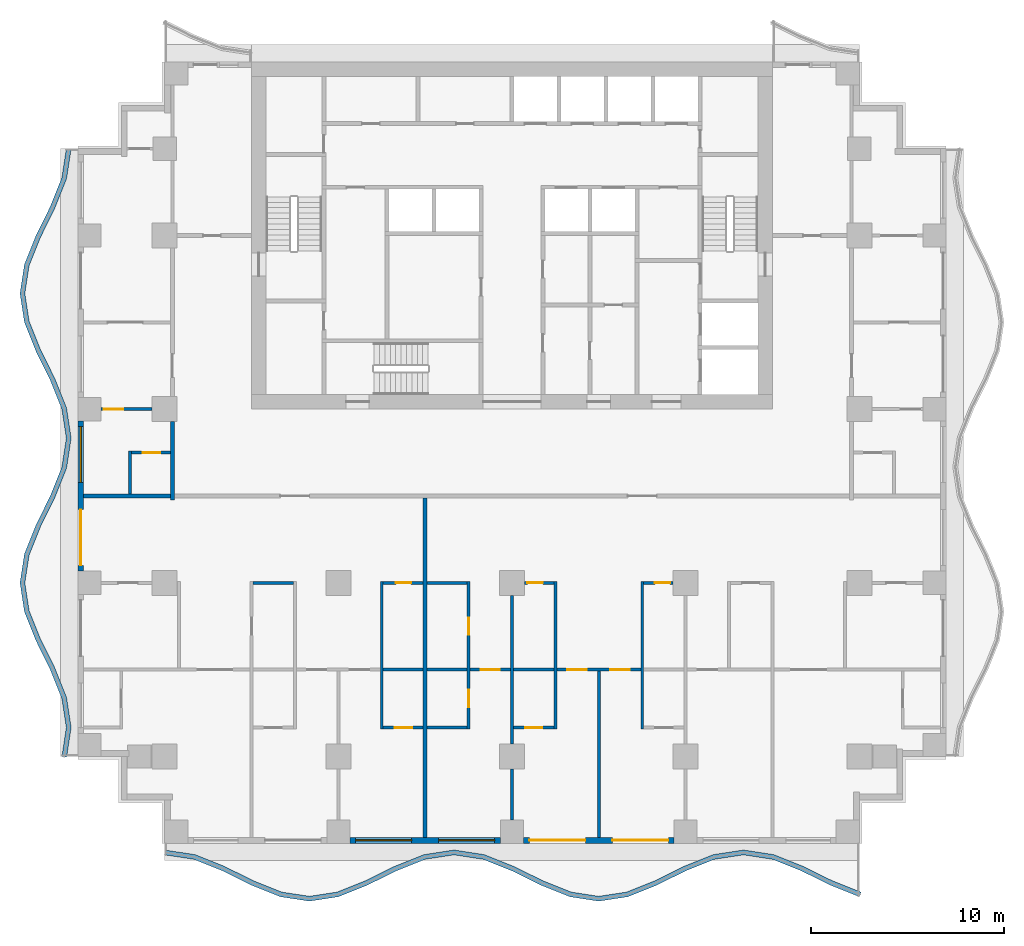
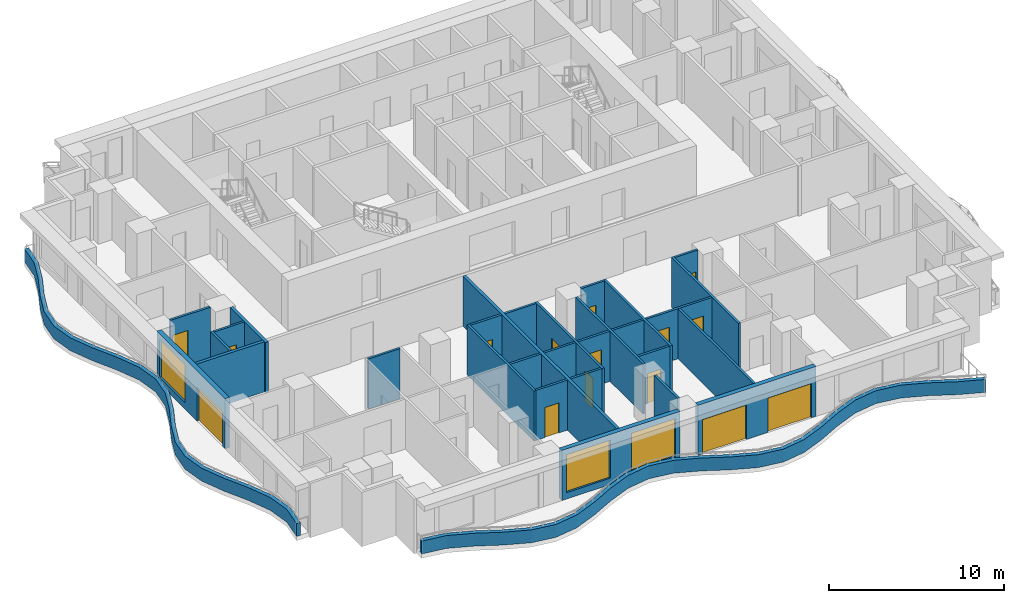
# One storey, part 2 of 10: 31 walls, 15 doors, 3 windows, 18 openings.
"""IFC4 building model written with IfcOpenShell, lengths in metres."""

from ifc_helpers import new_model, si_unit, direction, frame, frame_2d, origin, place, context, subcontext, project, spatial, polyline, rectangle, outline, extrude, material, layer, layer_set, type_object, element, fill, save


model = new_model("IFC4")

# Units and contexts
model_context = context("Model", 3, precision=1e-05, world=origin(), true_north=direction((0.0, 1.0)))
body_context = subcontext(model_context, "Body", "Model", "MODEL_VIEW")
ifc_project = project(units=[si_unit("LENGTHUNIT", "METRE"), si_unit("AREAUNIT", "SQUARE_METRE"), si_unit("VOLUMEUNIT", "CUBIC_METRE"), si_unit("PLANEANGLEUNIT", "RADIAN"), si_unit("MASSUNIT", "GRAM", prefix="KILO")], contexts=[model_context])

# Site, building, storey
site_placement = place(None, origin())
site = spatial("IfcSite", under=ifc_project, at=site_placement, CompositionType="ELEMENT")
building_placement = place(site_placement, origin())
building = spatial("IfcBuilding", under=site, at=building_placement, Name="Orbiselva Terraces", CompositionType="ELEMENT")
storey_placement = place(building_placement, frame((0.0, 0.0, 136.4)))
storey = spatial("IfcBuildingStorey", under=building, at=storey_placement, Name="L34", CompositionType="ELEMENT", Elevation=136.4)

# Walls
ifc_material_1 = material(Name="Concrete C40/50", Category="concrete")
ifc_layer_1 = layer(ifc_material_1, 0.25)
ifc_layer_set_1 = layer_set([ifc_layer_1], Name="Concrete C40/50")
wall_type_1 = type_object("IfcWallType", Name="ENV-PLANTER-250x900", PredefinedType="USERDEFINED", material=ifc_layer_set_1)
wall_1_placement = place(storey_placement, origin())
element("IfcWall", 1, at=wall_1_placement, inside=storey, type_object=wall_type_1, Name="Balcony planter L34 S", ObjectType="PLANTER", PredefinedType="USERDEFINED", context=body_context, shape_type="SweptSolid", body=[
    extrude(outline(polyline([(-18.0, -18.6), (-16.5, -18.82918), (-15.0, -19.42918), (-13.5, -20.17082), (-12.0, -20.77082), (-10.5, -21.0), (-9.0, -20.77082), (-7.5, -20.17082), (-6.0, -19.42918), (-4.5, -18.82918), (-3.0, -18.6), (-1.5, -18.82918), (0.0, -19.42918), (1.5, -20.17082), (3.0, -20.77082), (4.5, -21.0), (6.0, -20.77082), (7.5, -20.17082), (9.0, -19.42918), (10.5, -18.82918), (12.0, -18.6), (13.5, -18.82918), (15.0, -19.42918), (16.5, -20.17082), (18.0, -20.77082), (18.092848, -20.538701), (16.601983, -19.942355), (15.101983, -19.200715), (13.566166, -18.586388), (12.0, -18.347099), (10.433834, -18.586388), (8.898017, -19.200715), (7.398017, -19.942355), (5.933834, -20.528028), (4.5, -20.747099), (3.066166, -20.528028), (1.601983, -19.942355), (0.101983, -19.200715), (-1.433834, -18.586388), (-3.0, -18.347099), (-4.566166, -18.586388), (-6.101983, -19.200715), (-7.601983, -19.942355), (-9.066166, -20.528028), (-10.5, -20.747099), (-11.933834, -20.528028), (-13.398017, -19.942355), (-14.898017, -19.200715), (-16.433834, -18.586388), (-17.962242, -18.352868), (-18.0, -18.6)])), origin(), (0.0, 0.0, 1.0), 0.9),
])
wall_2_placement = place(storey_placement, origin())
element("IfcWall", 2, at=wall_2_placement, inside=storey, type_object=wall_type_1, Name="Balcony planter L34 W", ObjectType="PLANTER", PredefinedType="USERDEFINED", context=body_context, shape_type="SweptSolid", body=[
    extrude(outline(polyline([(-23.1, 18.0), (-23.32918, 16.5), (-23.92918, 15.0), (-24.67082, 13.5), (-25.27082, 12.0), (-25.5, 10.5), (-25.27082, 9.0), (-24.67082, 7.5), (-23.92918, 6.0), (-23.32918, 4.5), (-23.1, 3.0), (-23.32918, 1.5), (-23.92918, 0.0), (-24.67082, -1.5), (-25.27082, -3.0), (-25.5, -4.5), (-25.27082, -6.0), (-24.67082, -7.5), (-23.92918, -9.0), (-23.32918, -10.5), (-23.1, -12.0), (-23.32918, -13.5), (-23.082048, -13.537758), (-22.847099, -12.0), (-23.086388, -10.433834), (-23.700715, -8.898017), (-24.442355, -7.398017), (-25.028028, -5.933834), (-25.247099, -4.5), (-25.028028, -3.066166), (-24.442355, -1.601983), (-23.700715, -0.101983), (-23.086388, 1.433834), (-22.847099, 3.0), (-23.086388, 4.566166), (-23.700715, 6.101983), (-24.442355, 7.601983), (-25.028028, 9.066166), (-25.247099, 10.5), (-25.028028, 11.933834), (-24.442355, 13.398017), (-23.700715, 14.898017), (-23.086388, 16.433834), (-22.852868, 17.962242), (-23.1, 18.0)])), origin(), (0.0, 0.0, 1.0), 0.9),
])

# Wall, openings, windows
ifc_material_2 = material(Name="Terracotta cladding on masonry backing", Category="masonry")
ifc_layer_2 = layer(ifc_material_2, 0.3)
ifc_layer_set_2 = layer_set([ifc_layer_2], Name="Terracotta cladding on masonry backing")
wall_type_2 = type_object("IfcWallType", Name="ENV-WALL-TERRACOTTA-300", PredefinedType="SOLIDWALL", material=ifc_layer_set_2)
wall_3_placement = place(storey_placement, frame((-0.6, -17.85, 0.0), z_axis=(0.0, 0.0, 1.0), x_axis=(-1.0, 0.0, 0.0)))
wall_3 = element("IfcWall", 3, at=wall_3_placement, inside=storey, type_object=wall_type_2, Name="Facade wall L34 S", PredefinedType="SOLIDWALL", context=body_context, shape_type="SweptSolid", body=[
    extrude(rectangle(XDim=7.8, YDim=0.3, at=frame_2d((3.9, 0.0))), origin(), (0.0, 0.0, 1.0), 3.5),
])
opening_1_placement = place(wall_3_placement, frame((4.6, 0.0, 0.45)))
opening_1 = element("IfcOpeningElement", 4, at=opening_1_placement, cuts=wall_3, Name="Opening WN8", PredefinedType="OPENING", context=body_context, shape_type="SweptSolid", body=[
    extrude(rectangle(XDim=2.9, YDim=2.65, at=frame_2d((1.45, 1.325))), frame((0.0, 0.16, 0.0), z_axis=(0.0, -1.0, 0.0), x_axis=(1.0, 0.0, 0.0)), (0.0, 0.0, 1.0), 0.32),
])
opening_2_placement = place(wall_3_placement, frame((0.3, 0.0, 0.45)))
opening_2 = element("IfcOpeningElement", 5, at=opening_2_placement, cuts=wall_3, Name="Opening WN8", PredefinedType="OPENING", context=body_context, shape_type="SweptSolid", body=[
    extrude(rectangle(XDim=2.9, YDim=2.65, at=frame_2d((1.45, 1.325))), frame((0.0, 0.16, 0.0), z_axis=(0.0, -1.0, 0.0), x_axis=(1.0, 0.0, 0.0)), (0.0, 0.0, 1.0), 0.32),
])
ifc_material_3 = material(Name="Clear low-e glazing in aluminium frame", Category="aluminium")
window_type = type_object("IfcWindowType", Name="WINDOW 2900 X 2650 S450", PartitioningType="TRIPLE_PANEL_VERTICAL", PredefinedType="WINDOW", material=ifc_material_3)
window_1_placement = place(opening_1_placement, origin())
window_1 = element("IfcWindow", 6, at=window_1_placement, inside=storey, type_object=window_type, Name="Window L34 S", OverallHeight=2.65, OverallWidth=2.9, PartitioningType="SINGLE_PANEL", PredefinedType="WINDOW", context=body_context, shape_type="SweptSolid", body=[
    extrude(rectangle(XDim=2.9, YDim=2.65, at=frame_2d((1.45, 1.325))), frame((0.0, 0.03, 0.0), z_axis=(0.0, -1.0, 0.0), x_axis=(1.0, 0.0, 0.0)), (0.0, 0.0, 1.0), 0.06),
])
fill(opening_1, window_1)
window_2_placement = place(opening_2_placement, origin())
window_2 = element("IfcWindow", 7, at=window_2_placement, inside=storey, type_object=window_type, Name="Window L34 S", OverallHeight=2.65, OverallWidth=2.9, PartitioningType="SINGLE_PANEL", PredefinedType="WINDOW", context=body_context, shape_type="SweptSolid", body=[
    extrude(rectangle(XDim=2.9, YDim=2.65, at=frame_2d((1.45, 1.325))), frame((0.0, 0.03, 0.0), z_axis=(0.0, -1.0, 0.0), x_axis=(1.0, 0.0, 0.0)), (0.0, 0.0, 1.0), 0.06),
])
fill(opening_2, window_2)

# Wall, openings, doors
wall_4_placement = place(storey_placement, frame((8.4, -17.85, 0.0), z_axis=(0.0, 0.0, 1.0), x_axis=(-1.0, 0.0, 0.0)))
wall_4 = element("IfcWall", 8, at=wall_4_placement, inside=storey, type_object=wall_type_2, Name="Facade wall L34 S", PredefinedType="SOLIDWALL", context=body_context, shape_type="SweptSolid", body=[
    extrude(rectangle(XDim=7.8, YDim=0.3, at=frame_2d((3.9, 0.0))), origin(), (0.0, 0.0, 1.0), 3.5),
])
opening_3_placement = place(wall_4_placement, frame((4.6, 0.0, 0.0)))
opening_3 = element("IfcOpeningElement", 9, at=opening_3_placement, cuts=wall_4, Name="Opening Z3-B-E02", PredefinedType="OPENING", context=body_context, shape_type="SweptSolid", body=[
    extrude(rectangle(XDim=2.9, YDim=2.4, at=frame_2d((1.45, 1.2))), frame((0.0, 0.16, 0.0), z_axis=(0.0, -1.0, 0.0), x_axis=(1.0, 0.0, 0.0)), (0.0, 0.0, 1.0), 0.32),
])
opening_4_placement = place(wall_4_placement, frame((0.3, 0.0, 0.0)))
opening_4 = element("IfcOpeningElement", 10, at=opening_4_placement, cuts=wall_4, Name="Opening Z3-B-E03", PredefinedType="OPENING", context=body_context, shape_type="SweptSolid", body=[
    extrude(rectangle(XDim=2.9, YDim=2.4, at=frame_2d((1.45, 1.2))), frame((0.0, 0.16, 0.0), z_axis=(0.0, -1.0, 0.0), x_axis=(1.0, 0.0, 0.0)), (0.0, 0.0, 1.0), 0.32),
])
door_type_1 = type_object("IfcDoorType", Name="BALCONY DOOR 2900 X 2400", OperationType="DOUBLE_DOOR_SLIDING", PredefinedType="DOOR", material=ifc_material_3)
door_1_placement = place(opening_3_placement, origin())
door_1 = element("IfcDoor", 11, at=door_1_placement, inside=storey, type_object=door_type_1, Name="Z3-B-E02", OperationType="SINGLE_SWING_LEFT", OverallHeight=2.4, OverallWidth=2.9, PredefinedType="DOOR", context=body_context, shape_type="SweptSolid", body=[
    extrude(rectangle(XDim=2.9, YDim=2.4, at=frame_2d((1.45, 1.2))), frame((0.0, 0.025, 0.0), z_axis=(0.0, -1.0, 0.0), x_axis=(1.0, 0.0, 0.0)), (0.0, 0.0, 1.0), 0.05),
])
fill(opening_3, door_1)
door_2_placement = place(opening_4_placement, origin())
door_2 = element("IfcDoor", 12, at=door_2_placement, inside=storey, type_object=door_type_1, Name="Z3-B-E03", OperationType="SINGLE_SWING_LEFT", OverallHeight=2.4, OverallWidth=2.9, PredefinedType="DOOR", context=body_context, shape_type="SweptSolid", body=[
    extrude(rectangle(XDim=2.9, YDim=2.4, at=frame_2d((1.45, 1.2))), frame((0.0, 0.025, 0.0), z_axis=(0.0, -1.0, 0.0), x_axis=(1.0, 0.0, 0.0)), (0.0, 0.0, 1.0), 0.05),
])
fill(opening_4, door_2)

# Wall, openings, door, window
wall_5_placement = place(storey_placement, frame((-22.35, -3.9, 0.0), z_axis=(0.0, 0.0, 1.0), x_axis=(0.0, 1.0, 0.0)))
wall_5 = element("IfcWall", 13, at=wall_5_placement, inside=storey, type_object=wall_type_2, Name="Facade wall L34 W", PredefinedType="SOLIDWALL", context=body_context, shape_type="SweptSolid", body=[
    extrude(rectangle(XDim=7.8, YDim=0.3, at=frame_2d((3.9, 0.0))), origin(), (0.0, 0.0, 1.0), 3.5),
])
opening_5_placement = place(wall_5_placement, frame((4.6, 0.0, 0.45)))
opening_5 = element("IfcOpeningElement", 14, at=opening_5_placement, cuts=wall_5, Name="Opening WN8", PredefinedType="OPENING", context=body_context, shape_type="SweptSolid", body=[
    extrude(rectangle(XDim=2.9, YDim=2.65, at=frame_2d((1.45, 1.325))), frame((0.0, 0.16, 0.0), z_axis=(0.0, -1.0, 0.0), x_axis=(1.0, 0.0, 0.0)), (0.0, 0.0, 1.0), 0.32),
])
opening_6_placement = place(wall_5_placement, frame((0.3, 0.0, 0.0)))
opening_6 = element("IfcOpeningElement", 15, at=opening_6_placement, cuts=wall_5, Name="Opening Z3-B-E10", PredefinedType="OPENING", context=body_context, shape_type="SweptSolid", body=[
    extrude(rectangle(XDim=2.9, YDim=2.4, at=frame_2d((1.45, 1.2))), frame((0.0, 0.16, 0.0), z_axis=(0.0, -1.0, 0.0), x_axis=(1.0, 0.0, 0.0)), (0.0, 0.0, 1.0), 0.32),
])
door_3_placement = place(opening_6_placement, origin())
door_3 = element("IfcDoor", 16, at=door_3_placement, inside=storey, type_object=door_type_1, Name="Z3-B-E10", OperationType="SINGLE_SWING_LEFT", OverallHeight=2.4, OverallWidth=2.9, PredefinedType="DOOR", context=body_context, shape_type="SweptSolid", body=[
    extrude(rectangle(XDim=2.9, YDim=2.4, at=frame_2d((1.45, 1.2))), frame((0.0, 0.025, 0.0), z_axis=(0.0, -1.0, 0.0), x_axis=(1.0, 0.0, 0.0)), (0.0, 0.0, 1.0), 0.05),
])
fill(opening_6, door_3)
window_3_placement = place(opening_5_placement, origin())
window_3 = element("IfcWindow", 17, at=window_3_placement, inside=storey, type_object=window_type, Name="Window L34 W", OverallHeight=2.65, OverallWidth=2.9, PartitioningType="SINGLE_PANEL", PredefinedType="WINDOW", context=body_context, shape_type="SweptSolid", body=[
    extrude(rectangle(XDim=2.9, YDim=2.65, at=frame_2d((1.45, 1.325))), frame((0.0, 0.03, 0.0), z_axis=(0.0, -1.0, 0.0), x_axis=(1.0, 0.0, 0.0)), (0.0, 0.0, 1.0), 0.06),
])
fill(opening_5, window_3)

# Wall
ifc_material_4 = material(Name="Plasterboard on steel stud partition", Category="steel")
ifc_layer_3 = layer(ifc_material_4, 0.2)
ifc_layer_set_3 = layer_set([ifc_layer_3], Name="Plasterboard on steel stud partition")
wall_type_3 = type_object("IfcWallType", Name="UNIT-ENTRANCE-WALL-200", PredefinedType="PARTITIONING", material=ifc_layer_set_3)
wall_6_placement = place(storey_placement, frame((-17.6, -0.2, 0.0), z_axis=(0.0, 0.0, 1.0), x_axis=(0.0, 1.0, 0.0)))
element("IfcWall", 18, at=wall_6_placement, inside=storey, type_object=wall_type_3, Name="PARTITION L34-042", PredefinedType="PARTITIONING", context=body_context, shape_type="SweptSolid", body=[
    extrude(rectangle(XDim=4.05, YDim=0.2, at=frame_2d((2.025, 0.0))), origin(), (0.0, 0.0, 1.0), 3.5),
])

# Wall, opening, door
ifc_layer_4 = layer(ifc_material_4, 0.15)
ifc_layer_set_4 = layer_set([ifc_layer_4], Name="Plasterboard on steel stud partition")
wall_type_4 = type_object("IfcWallType", Name="UNIT-PARTITION-150", PredefinedType="PARTITIONING", material=ifc_layer_set_4)
wall_7_placement = place(storey_placement, frame((-6.675, -12.0, 0.0), z_axis=(0.0, 0.0, 1.0), x_axis=(1.0, 0.0, 0.0)))
wall_7 = element("IfcWall", 19, at=wall_7_placement, inside=storey, type_object=wall_type_4, Name="PARTITION L34-003", PredefinedType="PARTITIONING", context=body_context, shape_type="SweptSolid", body=[
    extrude(rectangle(XDim=2.075, YDim=0.15, at=frame_2d((1.0375, 0.0))), origin(), (0.0, 0.0, 1.0), 3.5),
])
opening_7_placement = place(wall_7_placement, frame((0.6, 0.0, 0.0)))
opening_7 = element("IfcOpeningElement", 20, at=opening_7_placement, cuts=wall_7, Name="Opening Z3-B-22", PredefinedType="OPENING", context=body_context, shape_type="SweptSolid", body=[
    extrude(rectangle(XDim=0.9, YDim=2.1, at=frame_2d((0.45, 1.05))), frame((0.0, 0.085, 0.0), z_axis=(0.0, -1.0, 0.0), x_axis=(1.0, 0.0, 0.0)), (0.0, 0.0, 1.0), 0.17),
])
ifc_material_5 = material(Name="Painted timber door leaf", Category="wood")
door_type_2 = type_object("IfcDoorType", Name="BATH DOOR 900", OperationType="NOTDEFINED", PredefinedType="DOOR", material=ifc_material_5)
door_4_placement = place(opening_7_placement, origin())
door_4 = element("IfcDoor", 21, at=door_4_placement, inside=storey, type_object=door_type_2, Name="Z3-B-22", OperationType="SINGLE_SWING_RIGHT", OverallHeight=2.1, OverallWidth=0.9, PredefinedType="DOOR", context=body_context, shape_type="SweptSolid", body=[
    extrude(rectangle(XDim=0.9, YDim=2.1, at=frame_2d((0.45, 1.05))), frame((0.0, 0.025, 0.0), z_axis=(0.0, -1.0, 0.0), x_axis=(1.0, 0.0, 0.0)), (0.0, 0.0, 1.0), 0.05),
])
fill(opening_7, door_4)

# Wall
wall_8_placement = place(storey_placement, frame((-4.4, -12.0, 0.0), z_axis=(0.0, 0.0, 1.0), x_axis=(1.0, 0.0, 0.0)))
element("IfcWall", 22, at=wall_8_placement, inside=storey, type_object=wall_type_4, Name="PARTITION L34-004", PredefinedType="PARTITIONING", context=body_context, shape_type="SweptSolid", body=[
    extrude(rectangle(XDim=2.075, YDim=0.15, at=frame_2d((1.0375, 0.0))), origin(), (0.0, 0.0, 1.0), 3.5),
])

# Wall, opening, door
wall_9_placement = place(storey_placement, frame((0.075, -12.0, 0.0), z_axis=(0.0, 0.0, 1.0), x_axis=(1.0, 0.0, 0.0)))
wall_9 = element("IfcWall", 23, at=wall_9_placement, inside=storey, type_object=wall_type_4, Name="PARTITION L34-005", PredefinedType="PARTITIONING", context=body_context, shape_type="SweptSolid", body=[
    extrude(rectangle(XDim=2.1, YDim=0.15, at=frame_2d((1.05, 0.0))), origin(), (0.0, 0.0, 1.0), 3.5),
])
opening_8_placement = place(wall_9_placement, frame((0.6, 0.0, 0.0)))
opening_8 = element("IfcOpeningElement", 24, at=opening_8_placement, cuts=wall_9, Name="Opening Z3-B-32", PredefinedType="OPENING", context=body_context, shape_type="SweptSolid", body=[
    extrude(rectangle(XDim=0.9, YDim=2.1, at=frame_2d((0.45, 1.05))), frame((0.0, 0.085, 0.0), z_axis=(0.0, -1.0, 0.0), x_axis=(1.0, 0.0, 0.0)), (0.0, 0.0, 1.0), 0.17),
])
door_5_placement = place(opening_8_placement, origin())
door_5 = element("IfcDoor", 25, at=door_5_placement, inside=storey, type_object=door_type_2, Name="Z3-B-32", OperationType="SINGLE_SWING_RIGHT", OverallHeight=2.1, OverallWidth=0.9, PredefinedType="DOOR", context=body_context, shape_type="SweptSolid", body=[
    extrude(rectangle(XDim=0.9, YDim=2.1, at=frame_2d((0.45, 1.05))), frame((0.0, 0.025, 0.0), z_axis=(0.0, -1.0, 0.0), x_axis=(1.0, 0.0, 0.0)), (0.0, 0.0, 1.0), 0.05),
])
fill(opening_8, door_5)

# Walls
for number, where, z_axis, x_axis, name in (
    (26, (-6.675, -9.0, 0.0), (0.0, 0.0, 1.0), (1.0, 0.0, 0.0), "PARTITION L34-011"),
    (27, (-4.4, -9.0, 0.0), (0.0, 0.0, 1.0), (1.0, 0.0, 0.0), "PARTITION L34-012"),
):
    element("IfcWall", number, at=place(storey_placement, frame(where, z_axis=z_axis, x_axis=x_axis)), inside=storey, type_object=wall_type_4, Name=name, PredefinedType="PARTITIONING", context=body_context, shape_type="SweptSolid", body=[
        extrude(rectangle(XDim=2.075, YDim=0.15, at=frame_2d((1.0375, 0.0))), origin(), (0.0, 0.0, 1.0), 3.5),
    ])

# Wall, opening, door
wall_10_placement = place(storey_placement, frame((-0.075, -9.0, 0.0), z_axis=(0.0, 0.0, 1.0), x_axis=(-1.0, 0.0, 0.0)))
wall_10 = element("IfcWall", 28, at=wall_10_placement, inside=storey, type_object=wall_type_4, Name="PARTITION L34-013", PredefinedType="PARTITIONING", context=body_context, shape_type="SweptSolid", body=[
    extrude(rectangle(XDim=2.1, YDim=0.15, at=frame_2d((1.05, 0.0))), origin(), (0.0, 0.0, 1.0), 3.5),
])
opening_9_placement = place(wall_10_placement, frame((0.55, 0.0, 0.0)))
opening_9 = element("IfcOpeningElement", 29, at=opening_9_placement, cuts=wall_10, Name="Opening Z3-B-29", PredefinedType="OPENING", context=body_context, shape_type="SweptSolid", body=[
    extrude(rectangle(XDim=1.0, YDim=2.4, at=frame_2d((0.5, 1.2))), frame((0.0, 0.085, 0.0), z_axis=(0.0, -1.0, 0.0), x_axis=(1.0, 0.0, 0.0)), (0.0, 0.0, 1.0), 0.17),
])
door_type_3 = type_object("IfcDoorType", Name="ROOM DOOR 1000", OperationType="NOTDEFINED", PredefinedType="DOOR", material=ifc_material_5)
door_6_placement = place(opening_9_placement, origin())
door_6 = element("IfcDoor", 30, at=door_6_placement, inside=storey, type_object=door_type_3, Name="Z3-B-29", OperationType="SINGLE_SWING_RIGHT", OverallHeight=2.4, OverallWidth=1.0, PredefinedType="DOOR", context=body_context, shape_type="SweptSolid", body=[
    extrude(rectangle(XDim=1.0, YDim=2.4, at=frame_2d((0.5, 1.2))), frame((0.0, 0.025, 0.0), z_axis=(0.0, -1.0, 0.0), x_axis=(1.0, 0.0, 0.0)), (0.0, 0.0, 1.0), 0.05),
])
fill(opening_9, door_6)

# Wall
wall_11_placement = place(storey_placement, frame((0.075, -9.0, 0.0), z_axis=(0.0, 0.0, 1.0), x_axis=(1.0, 0.0, 0.0)))
element("IfcWall", 31, at=wall_11_placement, inside=storey, type_object=wall_type_4, Name="PARTITION L34-014", PredefinedType="PARTITIONING", context=body_context, shape_type="SweptSolid", body=[
    extrude(rectangle(XDim=2.1, YDim=0.15, at=frame_2d((1.05, 0.0))), origin(), (0.0, 0.0, 1.0), 3.5),
])

# Wall, openings, doors
wall_12_placement = place(storey_placement, frame((6.675, -9.0, 0.0), z_axis=(0.0, 0.0, 1.0), x_axis=(-1.0, 0.0, 0.0)))
wall_12 = element("IfcWall", 32, at=wall_12_placement, inside=storey, type_object=wall_type_4, Name="PARTITION L34-015", PredefinedType="PARTITIONING", context=body_context, shape_type="SweptSolid", body=[
    extrude(rectangle(XDim=4.35, YDim=0.15, at=frame_2d((2.175, 0.0))), origin(), (0.0, 0.0, 1.0), 3.5),
])
opening_10_placement = place(wall_12_placement, frame((2.8, 0.0, 0.0)))
opening_10 = element("IfcOpeningElement", 33, at=opening_10_placement, cuts=wall_12, Name="Opening Z3-B-31", PredefinedType="OPENING", context=body_context, shape_type="SweptSolid", body=[
    extrude(rectangle(XDim=1.0, YDim=2.4, at=frame_2d((0.5, 1.2))), frame((0.0, 0.085, 0.0), z_axis=(0.0, -1.0, 0.0), x_axis=(1.0, 0.0, 0.0)), (0.0, 0.0, 1.0), 0.17),
])
opening_11_placement = place(wall_12_placement, frame((0.575, 0.0, 0.0)))
opening_11 = element("IfcOpeningElement", 34, at=opening_11_placement, cuts=wall_12, Name="Opening Z3-B-33", PredefinedType="OPENING", context=body_context, shape_type="SweptSolid", body=[
    extrude(rectangle(XDim=1.0, YDim=2.4, at=frame_2d((0.5, 1.2))), frame((0.0, 0.085, 0.0), z_axis=(0.0, -1.0, 0.0), x_axis=(1.0, 0.0, 0.0)), (0.0, 0.0, 1.0), 0.17),
])
door_7_placement = place(opening_10_placement, origin())
door_7 = element("IfcDoor", 35, at=door_7_placement, inside=storey, type_object=door_type_3, Name="Z3-B-31", OperationType="SINGLE_SWING_RIGHT", OverallHeight=2.4, OverallWidth=1.0, PredefinedType="DOOR", context=body_context, shape_type="SweptSolid", body=[
    extrude(rectangle(XDim=1.0, YDim=2.4, at=frame_2d((0.5, 1.2))), frame((0.0, 0.025, 0.0), z_axis=(0.0, -1.0, 0.0), x_axis=(1.0, 0.0, 0.0)), (0.0, 0.0, 1.0), 0.05),
])
fill(opening_10, door_7)
door_8_placement = place(opening_11_placement, origin())
door_8 = element("IfcDoor", 36, at=door_8_placement, inside=storey, type_object=door_type_3, Name="Z3-B-33", OperationType="SINGLE_SWING_LEFT", OverallHeight=2.4, OverallWidth=1.0, PredefinedType="DOOR", context=body_context, shape_type="SweptSolid", body=[
    extrude(rectangle(XDim=1.0, YDim=2.4, at=frame_2d((0.5, 1.2))), frame((0.0, 0.025, 0.0), z_axis=(0.0, -1.0, 0.0), x_axis=(1.0, 0.0, 0.0)), (0.0, 0.0, 1.0), 0.05),
])
fill(opening_11, door_8)

# Wall
wall_13_placement = place(storey_placement, frame((-13.425, -4.5, 0.0), z_axis=(0.0, 0.0, 1.0), x_axis=(1.0, 0.0, 0.0)))
element("IfcWall", 37, at=wall_13_placement, inside=storey, type_object=wall_type_4, Name="PARTITION L34-020", PredefinedType="PARTITIONING", context=body_context, shape_type="SweptSolid", body=[
    extrude(rectangle(XDim=2.1, YDim=0.15, at=frame_2d((1.05, 0.0))), origin(), (0.0, 0.0, 1.0), 3.5),
])

# Wall, opening, door
wall_14_placement = place(storey_placement, frame((-4.6, -4.5, 0.0), z_axis=(0.0, 0.0, 1.0), x_axis=(-1.0, 0.0, 0.0)))
wall_14 = element("IfcWall", 38, at=wall_14_placement, inside=storey, type_object=wall_type_4, Name="PARTITION L34-021", PredefinedType="PARTITIONING", context=body_context, shape_type="SweptSolid", body=[
    extrude(rectangle(XDim=2.075, YDim=0.15, at=frame_2d((1.0375, 0.0))), origin(), (0.0, 0.0, 1.0), 3.5),
])
opening_12_placement = place(wall_14_placement, frame((0.625, 0.0, 0.0)))
opening_12 = element("IfcOpeningElement", 39, at=opening_12_placement, cuts=wall_14, Name="Opening Z3-B-16", PredefinedType="OPENING", context=body_context, shape_type="SweptSolid", body=[
    extrude(rectangle(XDim=0.8, YDim=2.0, at=frame_2d((0.4, 1.0))), frame((0.0, 0.085, 0.0), z_axis=(0.0, -1.0, 0.0), x_axis=(1.0, 0.0, 0.0)), (0.0, 0.0, 1.0), 0.17),
])
door_type_4 = type_object("IfcDoorType", Name="STORE DOOR 800", OperationType="NOTDEFINED", PredefinedType="DOOR", material=ifc_material_5)
door_9_placement = place(opening_12_placement, origin())
door_9 = element("IfcDoor", 40, at=door_9_placement, inside=storey, type_object=door_type_4, Name="Z3-B-16", OperationType="SINGLE_SWING_LEFT", OverallHeight=2.0, OverallWidth=0.8, PredefinedType="DOOR", context=body_context, shape_type="SweptSolid", body=[
    extrude(rectangle(XDim=0.8, YDim=2.0, at=frame_2d((0.4, 1.0))), frame((0.0, 0.025, 0.0), z_axis=(0.0, -1.0, 0.0), x_axis=(1.0, 0.0, 0.0)), (0.0, 0.0, 1.0), 0.05),
])
fill(opening_12, door_9)

# Wall
wall_15_placement = place(storey_placement, frame((-4.4, -4.5, 0.0), z_axis=(0.0, 0.0, 1.0), x_axis=(1.0, 0.0, 0.0)))
element("IfcWall", 41, at=wall_15_placement, inside=storey, type_object=wall_type_4, Name="PARTITION L34-022", PredefinedType="PARTITIONING", context=body_context, shape_type="SweptSolid", body=[
    extrude(rectangle(XDim=2.075, YDim=0.15, at=frame_2d((1.0375, 0.0))), origin(), (0.0, 0.0, 1.0), 3.5),
])

# Wall, opening, door
wall_16_placement = place(storey_placement, frame((2.175, -4.5, 0.0), z_axis=(0.0, 0.0, 1.0), x_axis=(-1.0, 0.0, 0.0)))
wall_16 = element("IfcWall", 42, at=wall_16_placement, inside=storey, type_object=wall_type_4, Name="PARTITION L34-023", PredefinedType="PARTITIONING", context=body_context, shape_type="SweptSolid", body=[
    extrude(rectangle(XDim=1.525, YDim=0.15, at=frame_2d((0.7625, 0.0))), origin(), (0.0, 0.0, 1.0), 3.5),
])
opening_13_placement = place(wall_16_placement, frame((0.575, 0.0, 0.0)))
opening_13 = element("IfcOpeningElement", 43, at=opening_13_placement, cuts=wall_16, Name="Opening Z3-B-25", PredefinedType="OPENING", context=body_context, shape_type="SweptSolid", body=[
    extrude(rectangle(XDim=0.8, YDim=2.0, at=frame_2d((0.4, 1.0))), frame((0.0, 0.085, 0.0), z_axis=(0.0, -1.0, 0.0), x_axis=(1.0, 0.0, 0.0)), (0.0, 0.0, 1.0), 0.17),
])
door_10_placement = place(opening_13_placement, origin())
door_10 = element("IfcDoor", 44, at=door_10_placement, inside=storey, type_object=door_type_4, Name="Z3-B-25", OperationType="SINGLE_SWING_RIGHT", OverallHeight=2.0, OverallWidth=0.8, PredefinedType="DOOR", context=body_context, shape_type="SweptSolid", body=[
    extrude(rectangle(XDim=0.8, YDim=2.0, at=frame_2d((0.4, 1.0))), frame((0.0, 0.025, 0.0), z_axis=(0.0, -1.0, 0.0), x_axis=(1.0, 0.0, 0.0)), (0.0, 0.0, 1.0), 0.05),
])
fill(opening_13, door_10)

wall_17_placement = place(storey_placement, frame((8.35, -4.5, 0.0), z_axis=(0.0, 0.0, 1.0), x_axis=(-1.0, 0.0, 0.0)))
wall_17 = element("IfcWall", 45, at=wall_17_placement, inside=storey, type_object=wall_type_4, Name="PARTITION L34-024", PredefinedType="PARTITIONING", context=body_context, shape_type="SweptSolid", body=[
    extrude(rectangle(XDim=1.525, YDim=0.15, at=frame_2d((0.7625, 0.0))), origin(), (0.0, 0.0, 1.0), 3.5),
])
opening_14_placement = place(wall_17_placement, frame((0.15, 0.0, 0.0)))
opening_14 = element("IfcOpeningElement", 46, at=opening_14_placement, cuts=wall_17, Name="Opening Z3-B-26", PredefinedType="OPENING", context=body_context, shape_type="SweptSolid", body=[
    extrude(rectangle(XDim=0.8, YDim=2.0, at=frame_2d((0.4, 1.0))), frame((0.0, 0.085, 0.0), z_axis=(0.0, -1.0, 0.0), x_axis=(1.0, 0.0, 0.0)), (0.0, 0.0, 1.0), 0.17),
])
door_11_placement = place(opening_14_placement, origin())
door_11 = element("IfcDoor", 47, at=door_11_placement, inside=storey, type_object=door_type_4, Name="Z3-B-26", OperationType="SINGLE_SWING_LEFT", OverallHeight=2.0, OverallWidth=0.8, PredefinedType="DOOR", context=body_context, shape_type="SweptSolid", body=[
    extrude(rectangle(XDim=0.8, YDim=2.0, at=frame_2d((0.4, 1.0))), frame((0.0, 0.025, 0.0), z_axis=(0.0, -1.0, 0.0), x_axis=(1.0, 0.0, 0.0)), (0.0, 0.0, 1.0), 0.05),
])
fill(opening_14, door_11)

wall_18_placement = place(storey_placement, frame((-17.7, 2.25, 0.0), z_axis=(0.0, 0.0, 1.0), x_axis=(-1.0, 0.0, 0.0)))
wall_18 = element("IfcWall", 48, at=wall_18_placement, inside=storey, type_object=wall_type_4, Name="PARTITION L34-030", PredefinedType="PARTITIONING", context=body_context, shape_type="SweptSolid", body=[
    extrude(rectangle(XDim=2.03, YDim=0.15, at=frame_2d((1.015, 0.0))), origin(), (0.0, 0.0, 1.0), 3.5),
])
opening_15_placement = place(wall_18_placement, frame((0.53, 0.0, 0.0)))
opening_15 = element("IfcOpeningElement", 49, at=opening_15_placement, cuts=wall_18, Name="Opening Z3-B-04", PredefinedType="OPENING", context=body_context, shape_type="SweptSolid", body=[
    extrude(rectangle(XDim=0.9, YDim=2.1, at=frame_2d((0.45, 1.05))), frame((0.0, 0.085, 0.0), z_axis=(0.0, -1.0, 0.0), x_axis=(1.0, 0.0, 0.0)), (0.0, 0.0, 1.0), 0.17),
])
door_12_placement = place(opening_15_placement, origin())
door_12 = element("IfcDoor", 50, at=door_12_placement, inside=storey, type_object=door_type_2, Name="Z3-B-04", OperationType="SINGLE_SWING_LEFT", OverallHeight=2.1, OverallWidth=0.9, PredefinedType="DOOR", context=body_context, shape_type="SweptSolid", body=[
    extrude(rectangle(XDim=0.9, YDim=2.1, at=frame_2d((0.45, 1.05))), frame((0.0, 0.025, 0.0), z_axis=(0.0, -1.0, 0.0), x_axis=(1.0, 0.0, 0.0)), (0.0, 0.0, 1.0), 0.05),
])
fill(opening_15, door_12)

wall_19_placement = place(storey_placement, frame((-18.65, 4.5, 0.0), z_axis=(0.0, 0.0, 1.0), x_axis=(-1.0, 0.0, 0.0)))
wall_19 = element("IfcWall", 51, at=wall_19_placement, inside=storey, type_object=wall_type_4, Name="PARTITION L34-032", PredefinedType="PARTITIONING", context=body_context, shape_type="SweptSolid", body=[
    extrude(rectangle(XDim=2.65, YDim=0.15, at=frame_2d((1.325, 0.0))), origin(), (0.0, 0.0, 1.0), 3.5),
])
opening_16_placement = place(wall_19_placement, frame((1.5, 0.0, 0.0)))
opening_16 = element("IfcOpeningElement", 52, at=opening_16_placement, cuts=wall_19, Name="Opening Z3-B-03", PredefinedType="OPENING", context=body_context, shape_type="SweptSolid", body=[
    extrude(rectangle(XDim=1.0, YDim=2.4, at=frame_2d((0.5, 1.2))), frame((0.0, 0.085, 0.0), z_axis=(0.0, -1.0, 0.0), x_axis=(1.0, 0.0, 0.0)), (0.0, 0.0, 1.0), 0.17),
])
door_13_placement = place(opening_16_placement, origin())
door_13 = element("IfcDoor", 53, at=door_13_placement, inside=storey, type_object=door_type_3, Name="Z3-B-03", OperationType="SINGLE_SWING_RIGHT", OverallHeight=2.4, OverallWidth=1.0, PredefinedType="DOOR", context=body_context, shape_type="SweptSolid", body=[
    extrude(rectangle(XDim=1.0, YDim=2.4, at=frame_2d((0.5, 1.2))), frame((0.0, 0.025, 0.0), z_axis=(0.0, -1.0, 0.0), x_axis=(1.0, 0.0, 0.0)), (0.0, 0.0, 1.0), 0.05),
])
fill(opening_16, door_13)

# Walls
wall_20_placement = place(storey_placement, frame((-19.805, 0.1, 0.0), z_axis=(0.0, 0.0, 1.0), x_axis=(0.0, 1.0, 0.0)))
element("IfcWall", 54, at=wall_20_placement, inside=storey, type_object=wall_type_4, Name="PARTITION L34-041", PredefinedType="PARTITIONING", context=body_context, shape_type="SweptSolid", body=[
    extrude(rectangle(XDim=2.225, YDim=0.15, at=frame_2d((1.1125, 0.0))), origin(), (0.0, 0.0, 1.0), 3.5),
])
wall_21_placement = place(storey_placement, frame((-6.75, -12.075, 0.0), z_axis=(0.0, 0.0, 1.0), x_axis=(0.0, 1.0, 0.0)))
element("IfcWall", 55, at=wall_21_placement, inside=storey, type_object=wall_type_4, Name="PARTITION L34-051", PredefinedType="PARTITIONING", context=body_context, shape_type="SweptSolid", body=[
    extrude(rectangle(XDim=7.65, YDim=0.15, at=frame_2d((3.825, 0.0))), origin(), (0.0, 0.0, 1.0), 3.5),
])

# Wall, openings, doors
wall_22_placement = place(storey_placement, frame((-2.25, -12.075, 0.0), z_axis=(0.0, 0.0, 1.0), x_axis=(0.0, 1.0, 0.0)))
wall_22 = element("IfcWall", 56, at=wall_22_placement, inside=storey, type_object=wall_type_4, Name="PARTITION L34-053", PredefinedType="PARTITIONING", context=body_context, shape_type="SweptSolid", body=[
    extrude(rectangle(XDim=7.65, YDim=0.15, at=frame_2d((3.825, 0.0))), origin(), (0.0, 0.0, 1.0), 3.5),
])
opening_17_placement = place(wall_22_placement, frame((4.875, 0.0, 0.0)))
opening_17 = element("IfcOpeningElement", 57, at=opening_17_placement, cuts=wall_22, Name="Opening Z3-B-24", PredefinedType="OPENING", context=body_context, shape_type="SweptSolid", body=[
    extrude(rectangle(XDim=0.9, YDim=2.1, at=frame_2d((0.45, 1.05))), frame((0.0, 0.085, 0.0), z_axis=(0.0, -1.0, 0.0), x_axis=(1.0, 0.0, 0.0)), (0.0, 0.0, 1.0), 0.17),
])
opening_18_placement = place(wall_22_placement, frame((1.125, 0.0, 0.0)))
opening_18 = element("IfcOpeningElement", 58, at=opening_18_placement, cuts=wall_22, Name="Opening Z3-B-30", PredefinedType="OPENING", context=body_context, shape_type="SweptSolid", body=[
    extrude(rectangle(XDim=0.9, YDim=2.1, at=frame_2d((0.45, 1.05))), frame((0.0, 0.085, 0.0), z_axis=(0.0, -1.0, 0.0), x_axis=(1.0, 0.0, 0.0)), (0.0, 0.0, 1.0), 0.17),
])
door_14_placement = place(opening_17_placement, origin())
door_14 = element("IfcDoor", 59, at=door_14_placement, inside=storey, type_object=door_type_2, Name="Z3-B-24", OperationType="SINGLE_SWING_RIGHT", OverallHeight=2.1, OverallWidth=0.9, PredefinedType="DOOR", context=body_context, shape_type="SweptSolid", body=[
    extrude(rectangle(XDim=0.9, YDim=2.1, at=frame_2d((0.45, 1.05))), frame((0.0, 0.025, 0.0), z_axis=(0.0, -1.0, 0.0), x_axis=(1.0, 0.0, 0.0)), (0.0, 0.0, 1.0), 0.05),
])
fill(opening_17, door_14)
door_15_placement = place(opening_18_placement, origin())
door_15 = element("IfcDoor", 60, at=door_15_placement, inside=storey, type_object=door_type_2, Name="Z3-B-30", OperationType="SINGLE_SWING_LEFT", OverallHeight=2.1, OverallWidth=0.9, PredefinedType="DOOR", context=body_context, shape_type="SweptSolid", body=[
    extrude(rectangle(XDim=0.9, YDim=2.1, at=frame_2d((0.45, 1.05))), frame((0.0, 0.025, 0.0), z_axis=(0.0, -1.0, 0.0), x_axis=(1.0, 0.0, 0.0)), (0.0, 0.0, 1.0), 0.05),
])
fill(opening_18, door_15)

# Walls
wall_23_placement = place(storey_placement, frame((0.0, -16.8, 0.0), z_axis=(0.0, 0.0, 1.0), x_axis=(0.0, 1.0, 0.0)))
element("IfcWall", 61, at=wall_23_placement, inside=storey, type_object=wall_type_4, Name="PARTITION L34-054", PredefinedType="PARTITIONING", context=body_context, shape_type="SweptSolid", body=[
    extrude(rectangle(XDim=2.65, YDim=0.15, at=frame_2d((1.325, 0.0))), origin(), (0.0, 0.0, 1.0), 3.5),
])
wall_24_placement = place(storey_placement, frame((0.0, -12.85, 0.0), z_axis=(0.0, 0.0, 1.0), x_axis=(0.0, 1.0, 0.0)))
element("IfcWall", 62, at=wall_24_placement, inside=storey, type_object=wall_type_4, Name="PARTITION L34-055", PredefinedType="PARTITIONING", context=body_context, shape_type="SweptSolid", body=[
    extrude(rectangle(XDim=7.7, YDim=0.15, at=frame_2d((3.85, 0.0))), origin(), (0.0, 0.0, 1.0), 3.5),
])
wall_25_placement = place(storey_placement, frame((2.25, -12.075, 0.0), z_axis=(0.0, 0.0, 1.0), x_axis=(0.0, 1.0, 0.0)))
element("IfcWall", 63, at=wall_25_placement, inside=storey, type_object=wall_type_4, Name="PARTITION L34-056", PredefinedType="PARTITIONING", context=body_context, shape_type="SweptSolid", body=[
    extrude(rectangle(XDim=7.65, YDim=0.15, at=frame_2d((3.825, 0.0))), origin(), (0.0, 0.0, 1.0), 3.5),
])
wall_26_placement = place(storey_placement, frame((4.5, -17.7, 0.0), z_axis=(0.0, 0.0, 1.0), x_axis=(0.0, 1.0, 0.0)))
element("IfcWall", 64, at=wall_26_placement, inside=storey, type_object=wall_type_4, Name="PARTITION L34-057", PredefinedType="PARTITIONING", context=body_context, shape_type="SweptSolid", body=[
    extrude(rectangle(XDim=8.625, YDim=0.15, at=frame_2d((4.3125, 0.0))), origin(), (0.0, 0.0, 1.0), 3.5),
])
wall_27_placement = place(storey_placement, frame((6.75, -12.075, 0.0), z_axis=(0.0, 0.0, 1.0), x_axis=(0.0, 1.0, 0.0)))
element("IfcWall", 65, at=wall_27_placement, inside=storey, type_object=wall_type_4, Name="PARTITION L34-058", PredefinedType="PARTITIONING", context=body_context, shape_type="SweptSolid", body=[
    extrude(rectangle(XDim=7.65, YDim=0.15, at=frame_2d((3.825, 0.0))), origin(), (0.0, 0.0, 1.0), 3.5),
])
ifc_layer_5 = layer(ifc_material_4, 0.2)
ifc_layer_set_5 = layer_set([ifc_layer_5], Name="Plasterboard on steel stud partition")
wall_type_5 = type_object("IfcWallType", Name="UNIT-PARTY-WALL-200", PredefinedType="PARTITIONING", material=ifc_layer_set_5)
wall_28_placement = place(storey_placement, frame((-22.2, 0.0, 0.0), z_axis=(0.0, 0.0, 1.0), x_axis=(1.0, 0.0, 0.0)))
element("IfcWall", 66, at=wall_28_placement, inside=storey, type_object=wall_type_5, Name="PARTITION L34-028", PredefinedType="PARTITIONING", context=body_context, shape_type="SweptSolid", body=[
    extrude(rectangle(XDim=4.5, YDim=0.2, at=frame_2d((2.25, 0.0))), origin(), (0.0, 0.0, 1.0), 3.5),
])
wall_29_placement = place(storey_placement, frame((-4.5, -17.7, 0.0), z_axis=(0.0, 0.0, 1.0), x_axis=(0.0, 1.0, 0.0)))
element("IfcWall", 67, at=wall_29_placement, inside=storey, type_object=wall_type_5, Name="PARTITION L34-052", PredefinedType="PARTITIONING", context=body_context, shape_type="SweptSolid", body=[
    extrude(rectangle(XDim=17.6, YDim=0.2, at=frame_2d((8.8, 0.0))), origin(), (0.0, 0.0, 1.0), 3.5),
])

save(model, "model.ifc")
